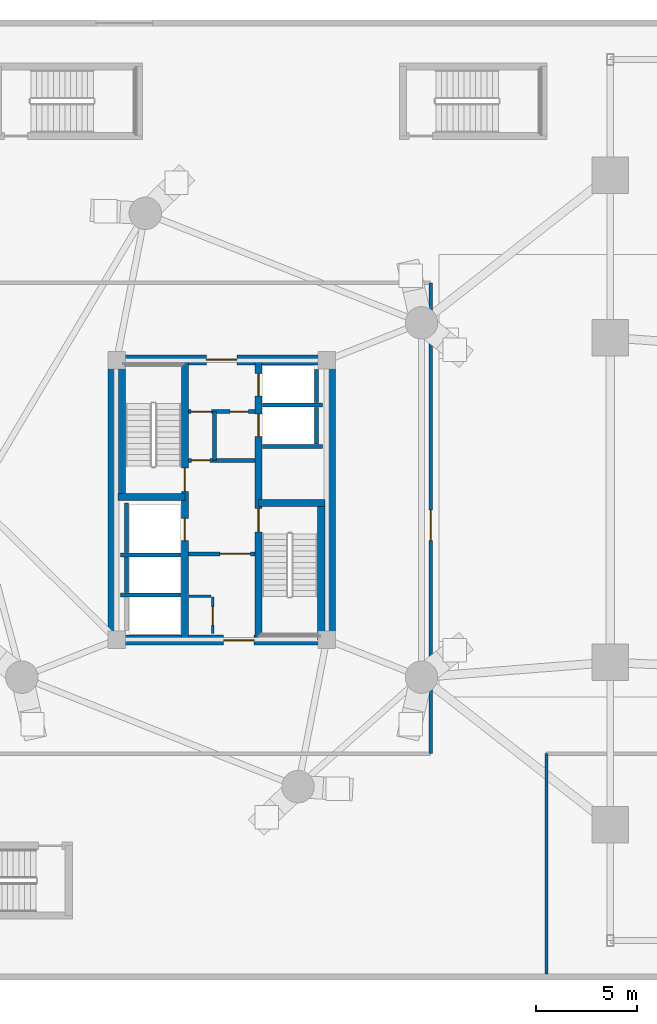
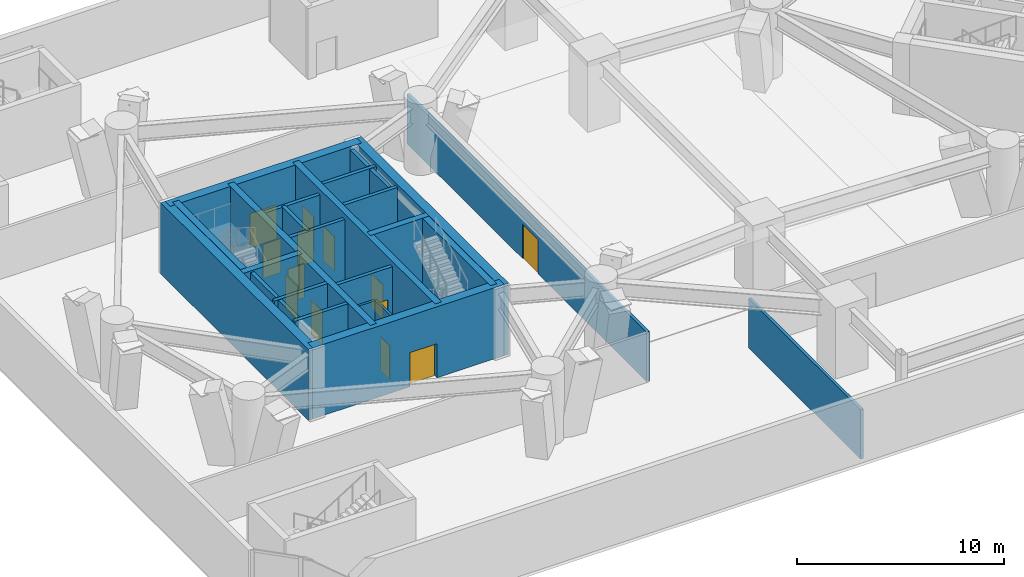
# One storey, part 11 of 20: 26 walls, 13 doors, 13 openings.
"""IFC4 building model written with IfcOpenShell, lengths in metres."""

from ifc_helpers import new_model, si_unit, direction, frame, frame_2d, origin, place, context, subcontext, project, spatial, rectangle, extrude, source, transform, mapped, material, layer, layer_set, type_object, element, fill, save


model = new_model("IFC4")

# Units and contexts
model_context = context("Model", 3, precision=1e-05, world=origin(), true_north=direction((0.0, 1.0)))
body_context = subcontext(model_context, "Body", "Model", "MODEL_VIEW")
ifc_project = project(units=[si_unit("LENGTHUNIT", "METRE"), si_unit("AREAUNIT", "SQUARE_METRE"), si_unit("VOLUMEUNIT", "CUBIC_METRE"), si_unit("PLANEANGLEUNIT", "RADIAN"), si_unit("MASSUNIT", "GRAM", prefix="KILO")], contexts=[model_context])

# Site, building, storey
site_placement = place(None, origin())
site = spatial("IfcSite", under=ifc_project, at=site_placement, CompositionType="ELEMENT")
building_placement = place(site_placement, origin())
building = spatial("IfcBuilding", under=site, at=building_placement, Name="Cununo Teusaquillo Station Towers", CompositionType="ELEMENT")
storey_placement = place(building_placement, frame((0.0, 0.0, 4.800048828125)))
storey = spatial("IfcBuildingStorey", under=building, at=storey_placement, Name="L01", CompositionType="ELEMENT", Elevation=4.800048828125)

# Walls
ifc_material_1 = material(Name="Concrete C50/60", Category="concrete")
ifc_layer_1 = layer(ifc_material_1, 0.199951171875)
ifc_layer_set_1 = layer_set([ifc_layer_1], Name="Concrete C50/60")
wall_type_1 = type_object("IfcWallType", Name="WL-CORE-200", PredefinedType="SHEAR", material=ifc_layer_set_1)
wall_1_placement = place(storey_placement, frame((11.52001953125, 21.800048828125, 0.0), z_axis=(0.0, 0.0, 1.0), x_axis=(1.0, 0.0, 0.0)))
element("IfcWall", 1, at=wall_1_placement, inside=storey, type_object=wall_type_1, Name="L01 Tower A Firefighting Lift Shaft South Shear Wall", PredefinedType="SHEAR", context=body_context, shape_type="SweptSolid", body=[
    extrude(rectangle(XDim=2.969970703125, YDim=0.199951171875, at=frame_2d((1.48486328125, 0.0))), origin(), (0.0, 0.0, 1.0), 4.199951171875),
])
wall_2_placement = place(storey_placement, frame((11.820068359375, 21.919921875, 0.0), z_axis=(0.0, 0.0, 1.0), x_axis=(0.0, 1.0, 0.0)))
element("IfcWall", 2, at=wall_2_placement, inside=storey, type_object=wall_type_1, Name="L01 Tower A Firefighting Lift Shaft Rear Shear Wall", PredefinedType="SHEAR", context=body_context, shape_type="SweptSolid", body=[
    extrude(rectangle(XDim=2.440185546875, YDim=0.199951171875, at=frame_2d((1.22021484375, 0.0))), origin(), (0.0, 0.0, 1.0), 4.199951171875),
])
wall_3_placement = place(storey_placement, frame((11.52001953125, 19.824951171875, 0.0), z_axis=(0.0, 0.0, 1.0), x_axis=(1.0, 0.0, 0.0)))
element("IfcWall", 3, at=wall_3_placement, inside=storey, type_object=wall_type_1, Name="L01 Tower A High-Rise Lift Hoistway Divider Shear Wall", PredefinedType="SHEAR", context=body_context, shape_type="SweptSolid", body=[
    extrude(rectangle(XDim=2.969970703125, YDim=0.199951171875, at=frame_2d((1.48486328125, 0.0))), origin(), (0.0, 0.0, 1.0), 4.199951171875),
])
wall_4_placement = place(storey_placement, frame((11.820068359375, 19.945068359375, 0.0), z_axis=(0.0, 0.0, 1.0), x_axis=(0.0, 1.0, 0.0)))
element("IfcWall", 4, at=wall_4_placement, inside=storey, type_object=wall_type_1, Name="L01 Tower A High-Rise Lift 2 Shaft Rear Shear Wall", PredefinedType="SHEAR", context=body_context, shape_type="SweptSolid", body=[
    extrude(rectangle(XDim=1.73486328125, YDim=0.199951171875, at=frame_2d((0.867431640625, 0.0))), origin(), (0.0, 0.0, 1.0), 4.199951171875),
])
for number, where, z_axis, x_axis, name in (
    (5, (18.510009765625, 27.1298828125, 0.0), (0.0, 0.0, 1.0), (1.0, 0.0, 0.0), "L01 Tower A Low-Rise Lift Hoistway South Shear Wall"),
    (6, (18.510009765625, 29.175048828125, 0.0), (0.0, 0.0, 1.0), (1.0, 0.0, 0.0), "L01 Tower A Low-Rise Lift Hoistway Divider Shear Wall"),
):
    element("IfcWall", number, at=place(storey_placement, frame(where, z_axis=z_axis, x_axis=x_axis)), inside=storey, type_object=wall_type_1, Name=name, PredefinedType="SHEAR", context=body_context, shape_type="SweptSolid", body=[
        extrude(rectangle(XDim=2.969970703125, YDim=0.199951171875, at=frame_2d((1.48486328125, 0.0))), origin(), (0.0, 0.0, 1.0), 4.199951171875),
    ])
wall_5_placement = place(storey_placement, frame((21.179931640625, 27.25, 0.0), z_axis=(0.0, 0.0, 1.0), x_axis=(0.0, 1.0, 0.0)))
element("IfcWall", 7, at=wall_5_placement, inside=storey, type_object=wall_type_1, Name="L01 Tower A Low-Rise Lift 1 Shaft Rear Shear Wall", PredefinedType="SHEAR", context=body_context, shape_type="SweptSolid", body=[
    extrude(rectangle(XDim=1.804931640625, YDim=0.199951171875, at=frame_2d((0.90234375, 0.0))), origin(), (0.0, 0.0, 1.0), 4.199951171875),
])
wall_6_placement = place(storey_placement, frame((21.179931640625, 29.294921875, 0.0), z_axis=(0.0, 0.0, 1.0), x_axis=(0.0, 1.0, 0.0)))
element("IfcWall", 8, at=wall_6_placement, inside=storey, type_object=wall_type_1, Name="L01 Tower A Low-Rise Lift 2 Shaft Rear Shear Wall", PredefinedType="SHEAR", context=body_context, shape_type="SweptSolid", body=[
    extrude(rectangle(XDim=1.635009765625, YDim=0.199951171875, at=frame_2d((0.8173828125, 0.0))), origin(), (0.0, 0.0, 1.0), 4.199951171875),
])

# Wall, openings, doors
ifc_material_2 = material(Name="Concrete C50/60", Category="concrete")
ifc_layer_2 = layer(ifc_material_2, 0.35009765625)
ifc_layer_set_2 = layer_set([ifc_layer_2], Name="Concrete C50/60")
wall_type_2 = type_object("IfcWallType", Name="WL-CORE-350", PredefinedType="SHEAR", material=ifc_layer_set_2)
wall_7_placement = place(storey_placement, frame((14.68505859375, 17.60009765625, 0.0), z_axis=(0.0, 0.0, 1.0), x_axis=(0.0, 1.0, 0.0)))
wall_7 = element("IfcWall", 9, at=wall_7_placement, inside=storey, type_object=wall_type_2, Name="L01 Tower A Core Shear Wall IW", PredefinedType="SHEAR", context=body_context, shape_type="SweptSolid", body=[
    extrude(rectangle(XDim=13.7998046875, YDim=0.35009765625, at=frame_2d((6.89990234375, 0.0))), origin(), (0.0, 0.0, 1.0), 4.199951171875),
])
shared_shape_1 = source(origin(), body_context, "Body", "SweptSolid", [
    extrude(rectangle(XDim=1.10009765625, YDim=2.014892578125, at=frame_2d((0.550048828125, 1.00732421875))), frame((0.0, 0.18505859375, 0.0), z_axis=(0.0, -1.0, 0.0), x_axis=(1.0, 0.0, 0.0)), (0.0, 0.0, 1.0), 0.3701171875),
])
opening_1_placement = place(wall_7_placement, frame((4.89990234375, 0.0, 0.0)))
opening_1 = element("IfcOpeningElement", 10, at=opening_1_placement, cuts=wall_7, Name="Opening LD-01", PredefinedType="OPENING", context=body_context, shape_type="MappedRepresentation", body=[
    mapped(shared_shape_1, transform((0.0, 0.0, 0.0), x_axis=(1.0, 0.0, 0.0), y_axis=(0.0, 1.0, 0.0), z_axis=(0.0, 0.0, 1.0), scale=1.0)),
])
shared_shape_2 = source(origin(), body_context, "Body", "SweptSolid", [
    extrude(rectangle(XDim=1.14990234375, YDim=2.02001953125, at=frame_2d((0.574951171875, 1.010009765625))), frame((0.0, 0.18505859375, 0.0), z_axis=(0.0, -1.0, 0.0), x_axis=(1.0, 0.0, 0.0)), (0.0, 0.0, 1.0), 0.3701171875),
])
opening_2_placement = place(wall_7_placement, frame((7.320068359375, 0.0, 0.0)))
opening_2 = element("IfcOpeningElement", 11, at=opening_2_placement, cuts=wall_7, Name="Opening D-ST1", PredefinedType="OPENING", context=body_context, shape_type="MappedRepresentation", body=[
    mapped(shared_shape_2, transform((0.0, 0.0, 0.0), x_axis=(1.0, 0.0, 0.0), y_axis=(0.0, 1.0, 0.0), z_axis=(0.0, 0.0, 1.0), scale=1.0)),
])
ifc_material_3 = material(Name="Galvanised fire-rated hollow steel door assembly", Category="steel")
door_type_1 = type_object("IfcDoorType", Name="DR-LIFT-1100", OperationType="SLIDING_TO_LEFT", PredefinedType="DOOR", material=ifc_material_3)
shared_shape_3 = source(origin(), body_context, "Body", "SweptSolid", [
    extrude(rectangle(XDim=1.10009765625, YDim=2.014892578125, at=frame_2d((0.550048828125, 1.00732421875))), frame((0.0, 0.02490234375, 0.0), z_axis=(0.0, -1.0, 0.0), x_axis=(1.0, 0.0, 0.0)), (0.0, 0.0, 1.0), 0.050048828125),
])
door_1_placement = place(opening_1_placement, origin())
door_1 = element("IfcDoor", 12, at=door_1_placement, inside=storey, type_object=door_type_1, Name="L01 Lift FL-T1 Sliding Landing Door", OperationType="SLIDING_TO_RIGHT", OverallHeight=2.014892578125, OverallWidth=1.10009765625, PredefinedType="DOOR", context=body_context, shape_type="MappedRepresentation", body=[
    mapped(shared_shape_3, transform((0.0, 0.0, 0.0), x_axis=(1.0, 0.0, 0.0), y_axis=(0.0, 1.0, 0.0), z_axis=(0.0, 0.0, 1.0), scale=1.0)),
])
fill(opening_1, door_1)
ifc_material_4 = material(Name="Galvanised fire-rated hollow steel door assembly", Category="steel")
door_type_2 = type_object("IfcDoorType", Name="DR-STAIR-1150", OperationType="NOTDEFINED", PredefinedType="DOOR", material=ifc_material_4)
shared_shape_4 = source(origin(), body_context, "Body", "SweptSolid", [
    extrude(rectangle(XDim=1.14990234375, YDim=2.02001953125, at=frame_2d((0.574951171875, 1.010009765625))), frame((0.0, 0.02490234375, 0.0), z_axis=(0.0, -1.0, 0.0), x_axis=(1.0, 0.0, 0.0)), (0.0, 0.0, 1.0), 0.050048828125),
])
door_2_placement = place(opening_2_placement, origin())
door_2 = element("IfcDoor", 13, at=door_2_placement, inside=storey, type_object=door_type_2, Name="L01 Tower A Exit Stair 1 Fire Door", OperationType="SINGLE_SWING_LEFT", OverallHeight=2.02001953125, OverallWidth=1.14990234375, PredefinedType="DOOR", context=body_context, shape_type="MappedRepresentation", body=[
    mapped(shared_shape_4, transform((0.0, 0.0, 0.0), x_axis=(1.0, 0.0, 0.0), y_axis=(0.0, 1.0, 0.0), z_axis=(0.0, 0.0, 1.0), scale=1.0)),
])
fill(opening_2, door_2)

wall_8_placement = place(storey_placement, frame((18.31494140625, 17.60009765625, 0.0), z_axis=(0.0, 0.0, 1.0), x_axis=(0.0, 1.0, 0.0)))
wall_8 = element("IfcWall", 14, at=wall_8_placement, inside=storey, type_object=wall_type_2, Name="L01 Tower A Core Shear Wall IE", PredefinedType="SHEAR", context=body_context, shape_type="SweptSolid", body=[
    extrude(rectangle(XDim=13.7998046875, YDim=0.35009765625, at=frame_2d((6.89990234375, 0.0))), origin(), (0.0, 0.0, 1.0), 4.199951171875),
])
opening_3_placement = place(wall_8_placement, frame((10.02490234375, 0.0, 0.0)))
opening_3 = element("IfcOpeningElement", 15, at=opening_3_placement, cuts=wall_8, Name="Opening LD-01", PredefinedType="OPENING", context=body_context, shape_type="MappedRepresentation", body=[
    mapped(shared_shape_1, transform((0.0, 0.0, 0.0), x_axis=(1.0, 0.0, 0.0), y_axis=(0.0, 1.0, 0.0), z_axis=(0.0, 0.0, 1.0), scale=1.0)),
])
opening_4_placement = place(wall_8_placement, frame((12.02490234375, 0.0, 0.0)))
opening_4 = element("IfcOpeningElement", 16, at=opening_4_placement, cuts=wall_8, Name="Opening LD-01", PredefinedType="OPENING", context=body_context, shape_type="MappedRepresentation", body=[
    mapped(shared_shape_1, transform((0.0, 0.0, 0.0), x_axis=(1.0, 0.0, 0.0), y_axis=(0.0, 1.0, 0.0), z_axis=(0.0, 0.0, 1.0), scale=1.0)),
])
opening_5_placement = place(wall_8_placement, frame((5.330078125, 0.0, 0.0)))
opening_5 = element("IfcOpeningElement", 17, at=opening_5_placement, cuts=wall_8, Name="Opening D-ST1", PredefinedType="OPENING", context=body_context, shape_type="MappedRepresentation", body=[
    mapped(shared_shape_2, transform((0.0, 0.0, 0.0), x_axis=(1.0, 0.0, 0.0), y_axis=(0.0, 1.0, 0.0), z_axis=(0.0, 0.0, 1.0), scale=1.0)),
])
door_3_placement = place(opening_3_placement, origin())
door_3 = element("IfcDoor", 18, at=door_3_placement, inside=storey, type_object=door_type_1, Name="L01 Lift PL-T1-L1 Sliding Landing Door", OperationType="SLIDING_TO_LEFT", OverallHeight=2.014892578125, OverallWidth=1.10009765625, PredefinedType="DOOR", context=body_context, shape_type="MappedRepresentation", body=[
    mapped(shared_shape_3, transform((0.0, 0.0, 0.0), x_axis=(1.0, 0.0, 0.0), y_axis=(0.0, 1.0, 0.0), z_axis=(0.0, 0.0, 1.0), scale=1.0)),
])
fill(opening_3, door_3)
door_4_placement = place(opening_4_placement, origin())
door_4 = element("IfcDoor", 19, at=door_4_placement, inside=storey, type_object=door_type_1, Name="L01 Lift PL-T1-L2 Sliding Landing Door", OperationType="SLIDING_TO_RIGHT", OverallHeight=2.014892578125, OverallWidth=1.10009765625, PredefinedType="DOOR", context=body_context, shape_type="MappedRepresentation", body=[
    mapped(shared_shape_3, transform((0.0, 0.0, 0.0), x_axis=(1.0, 0.0, 0.0), y_axis=(0.0, 1.0, 0.0), z_axis=(0.0, 0.0, 1.0), scale=1.0)),
])
fill(opening_4, door_4)
door_5_placement = place(opening_5_placement, origin())
door_5 = element("IfcDoor", 20, at=door_5_placement, inside=storey, type_object=door_type_2, Name="L01 Tower A Exit Stair 2 Fire Door", OperationType="SINGLE_SWING_RIGHT", OverallHeight=2.02001953125, OverallWidth=1.14990234375, PredefinedType="DOOR", context=body_context, shape_type="MappedRepresentation", body=[
    mapped(shared_shape_4, transform((0.0, 0.0, 0.0), x_axis=(1.0, 0.0, 0.0), y_axis=(0.0, 1.0, 0.0), z_axis=(0.0, 0.0, 1.0), scale=1.0)),
])
fill(opening_5, door_5)

# Walls
wall_9_placement = place(storey_placement, frame((11.594970703125, 24.655029296875, 0.0), z_axis=(0.0, 0.0, 1.0), x_axis=(0.0, 1.0, 0.0)))
element("IfcWall", 21, at=wall_9_placement, inside=storey, type_object=wall_type_2, Name="L01 Tower A Core Shear Wall ST1W", PredefinedType="SHEAR", context=body_context, shape_type="SweptSolid", body=[
    extrude(rectangle(XDim=6.744873046875, YDim=0.35009765625, at=frame_2d((3.37255859375, 0.0))), origin(), (0.0, 0.0, 1.0), 4.199951171875),
])
wall_10_placement = place(storey_placement, frame((11.39990234375, 24.655029296875, 0.0), z_axis=(0.0, 0.0, 1.0), x_axis=(1.0, 0.0, 0.0)))
element("IfcWall", 22, at=wall_10_placement, inside=storey, type_object=wall_type_2, Name="L01 Tower A Core Shear Wall ST1S", PredefinedType="SHEAR", context=body_context, shape_type="SweptSolid", body=[
    extrude(rectangle(XDim=3.28515625, YDim=0.35009765625, at=frame_2d((1.642578125, 0.0))), origin(), (0.0, 0.0, 1.0), 4.199951171875),
])
wall_11_placement = place(storey_placement, frame((21.405029296875, 17.60009765625, 0.0), z_axis=(0.0, 0.0, 1.0), x_axis=(0.0, 1.0, 0.0)))
element("IfcWall", 23, at=wall_11_placement, inside=storey, type_object=wall_type_2, Name="L01 Tower A Core Shear Wall ST2E", PredefinedType="SHEAR", context=body_context, shape_type="SweptSolid", body=[
    extrude(rectangle(XDim=6.744873046875, YDim=0.35009765625, at=frame_2d((3.37255859375, 0.0))), origin(), (0.0, 0.0, 1.0), 4.199951171875),
])
wall_12_placement = place(storey_placement, frame((18.31494140625, 24.344970703125, 0.0), z_axis=(0.0, 0.0, 1.0), x_axis=(1.0, 0.0, 0.0)))
element("IfcWall", 24, at=wall_12_placement, inside=storey, type_object=wall_type_2, Name="L01 Tower A Core Shear Wall ST2N", PredefinedType="SHEAR", context=body_context, shape_type="SweptSolid", body=[
    extrude(rectangle(XDim=3.28515625, YDim=0.35009765625, at=frame_2d((1.642578125, 0.0))), origin(), (0.0, 0.0, 1.0), 4.199951171875),
])
ifc_material_5 = material(Name="Concrete C60/75", Category="concrete")
ifc_layer_3 = layer(ifc_material_5, 0.5)
ifc_layer_set_3 = layer_set([ifc_layer_3], Name="Concrete C60/75")
wall_type_3 = type_object("IfcWallType", Name="WL-CORE-500", PredefinedType="SHEAR", material=ifc_layer_set_3)
for number, where, z_axis, x_axis, name in (
    (25, (11.14990234375, 17.35009765625, 0.0), (0.0, 0.0, 1.0), (0.0, 1.0, 0.0), "L01 Tower A Core Shear Wall W"),
    (26, (21.85009765625, 17.35009765625, 0.0), (0.0, 0.0, 1.0), (0.0, 1.0, 0.0), "L01 Tower A Core Shear Wall E"),
):
    element("IfcWall", number, at=place(storey_placement, frame(where, z_axis=z_axis, x_axis=x_axis)), inside=storey, type_object=wall_type_3, Name=name, PredefinedType="SHEAR", context=body_context, shape_type="SweptSolid", body=[
        extrude(rectangle(XDim=14.2998046875, YDim=0.5, at=frame_2d((7.14990234375, 0.0))), origin(), (0.0, 0.0, 1.0), 4.199951171875),
    ])

# Wall, opening, door
wall_13_placement = place(storey_placement, frame((11.14990234375, 17.60009765625, 0.0), z_axis=(0.0, 0.0, 1.0), x_axis=(1.0, 0.0, 0.0)))
wall_13 = element("IfcWall", 27, at=wall_13_placement, inside=storey, type_object=wall_type_3, Name="L01 Tower A Core Shear Wall S", PredefinedType="SHEAR", context=body_context, shape_type="SweptSolid", body=[
    extrude(rectangle(XDim=10.7001953125, YDim=0.5, at=frame_2d((5.35009765625, 0.0))), origin(), (0.0, 0.0, 1.0), 4.199951171875),
])
shared_shape_5 = source(origin(), body_context, "Body", "SweptSolid", [
    extrude(rectangle(XDim=1.5, YDim=2.02001953125, at=frame_2d((0.75, 1.010009765625))), frame((0.0, 0.260009765625, 0.0), z_axis=(0.0, -1.0, 0.0), x_axis=(1.0, 0.0, 0.0)), (0.0, 0.0, 1.0), 0.52001953125),
])
opening_6_placement = place(wall_13_placement, frame((5.449951171875, 0.0, 0.0)))
opening_6 = element("IfcOpeningElement", 28, at=opening_6_placement, cuts=wall_13, Name="Opening D-LB1", PredefinedType="OPENING", context=body_context, shape_type="MappedRepresentation", body=[
    mapped(shared_shape_5, transform((0.0, 0.0, 0.0), x_axis=(1.0, 0.0, 0.0), y_axis=(0.0, 1.0, 0.0), z_axis=(0.0, 0.0, 1.0), scale=1.0)),
])
ifc_material_6 = material(Name="Galvanised fire-rated hollow steel door assembly", Category="steel")
door_type_3 = type_object("IfcDoorType", Name="DR-LOBBY-1500", OperationType="DOUBLE_DOOR_SINGLE_SWING", PredefinedType="DOOR", material=ifc_material_6)
shared_shape_6 = source(origin(), body_context, "Body", "SweptSolid", [
    extrude(rectangle(XDim=1.5, YDim=2.02001953125, at=frame_2d((0.75, 1.010009765625))), frame((0.0, 0.02490234375, 0.0), z_axis=(0.0, -1.0, 0.0), x_axis=(1.0, 0.0, 0.0)), (0.0, 0.0, 1.0), 0.050048828125),
])
door_6_placement = place(opening_6_placement, origin())
door_6 = element("IfcDoor", 29, at=door_6_placement, inside=storey, type_object=door_type_3, Name="L01 Tower A South Core Lift Lobby Door", OperationType="DOUBLE_DOOR_SINGLE_SWING", OverallHeight=2.02001953125, OverallWidth=1.5, PredefinedType="DOOR", context=body_context, shape_type="MappedRepresentation", body=[
    mapped(shared_shape_6, transform((0.0, 0.0, 0.0), x_axis=(1.0, 0.0, 0.0), y_axis=(0.0, 1.0, 0.0), z_axis=(0.0, 0.0, 1.0), scale=1.0)),
])
fill(opening_6, door_6)

wall_14_placement = place(storey_placement, frame((11.14990234375, 31.39990234375, 0.0), z_axis=(0.0, 0.0, 1.0), x_axis=(1.0, 0.0, 0.0)))
wall_14 = element("IfcWall", 30, at=wall_14_placement, inside=storey, type_object=wall_type_3, Name="L01 Tower A Core Shear Wall N", PredefinedType="SHEAR", context=body_context, shape_type="SweptSolid", body=[
    extrude(rectangle(XDim=10.7001953125, YDim=0.5, at=frame_2d((5.35009765625, 0.0))), origin(), (0.0, 0.0, 1.0), 4.199951171875),
])
opening_7_placement = place(wall_14_placement, frame((4.60009765625, 0.0, 0.0)))
opening_7 = element("IfcOpeningElement", 31, at=opening_7_placement, cuts=wall_14, Name="Opening D-LB1", PredefinedType="OPENING", context=body_context, shape_type="MappedRepresentation", body=[
    mapped(shared_shape_5, transform((0.0, 0.0, 0.0), x_axis=(1.0, 0.0, 0.0), y_axis=(0.0, 1.0, 0.0), z_axis=(0.0, 0.0, 1.0), scale=1.0)),
])
door_7_placement = place(opening_7_placement, origin())
door_7 = element("IfcDoor", 32, at=door_7_placement, inside=storey, type_object=door_type_3, Name="L01 Tower A North Core Lift Lobby Door", OperationType="DOUBLE_DOOR_SINGLE_SWING", OverallHeight=2.02001953125, OverallWidth=1.5, PredefinedType="DOOR", context=body_context, shape_type="MappedRepresentation", body=[
    mapped(shared_shape_6, transform((0.0, 0.0, 0.0), x_axis=(1.0, 0.0, 0.0), y_axis=(0.0, 1.0, 0.0), z_axis=(0.0, 0.0, 1.0), scale=1.0)),
])
fill(opening_7, door_7)

ifc_material_7 = material(Name="Fire-rated gypsum plasterboard partition assembly", Category="gypsum")
ifc_layer_4 = layer(ifc_material_7, 0.125)
ifc_layer_set_4 = layer_set([ifc_layer_4], Name="Fire-rated gypsum plasterboard partition assembly")
wall_type_4 = type_object("IfcWallType", Name="WL-PART-125", PredefinedType="PARTITIONING", material=ifc_layer_set_4)
wall_15_placement = place(storey_placement, frame((16.050048828125, 17.919921875, 0.0), z_axis=(0.0, 0.0, 1.0), x_axis=(0.0, 1.0, 0.0)))
wall_15 = element("IfcWall", 33, at=wall_15_placement, inside=storey, type_object=wall_type_4, Name="L01 Tower A South-West Compact Store East Wall", PredefinedType="PARTITIONING", context=body_context, shape_type="SweptSolid", body=[
    extrude(rectangle(XDim=1.800048828125, YDim=0.125, at=frame_2d((0.89990234375, 0.0))), origin(), (0.0, 0.0, 1.0), 3.885009765625),
])
shared_shape_7 = source(origin(), body_context, "Body", "SweptSolid", [
    extrude(rectangle(XDim=0.89990234375, YDim=2.0048828125, at=frame_2d((0.449951171875, 1.00244140625))), frame((0.0, 0.072509765625, 0.0), z_axis=(0.0, -1.0, 0.0), x_axis=(1.0, 0.0, 0.0)), (0.0, 0.0, 1.0), 0.14501953125),
])
opening_8_placement = place(wall_15_placement, frame((0.419921875, 0.0, 0.0)))
opening_8 = element("IfcOpeningElement", 34, at=opening_8_placement, cuts=wall_15, Name="Opening D-SR1", PredefinedType="OPENING", context=body_context, shape_type="MappedRepresentation", body=[
    mapped(shared_shape_7, transform((0.0, 0.0, 0.0), x_axis=(1.0, 0.0, 0.0), y_axis=(0.0, 1.0, 0.0), z_axis=(0.0, 0.0, 1.0), scale=1.0)),
])
ifc_material_8 = material(Name="Galvanised fire-rated hollow steel door assembly", Category="steel")
door_type_4 = type_object("IfcDoorType", Name="DR-STORE-900", OperationType="NOTDEFINED", PredefinedType="DOOR", material=ifc_material_8)
shared_shape_8 = source(origin(), body_context, "Body", "SweptSolid", [
    extrude(rectangle(XDim=0.89990234375, YDim=2.0048828125, at=frame_2d((0.449951171875, 1.00244140625))), frame((0.0, 0.02490234375, 0.0), z_axis=(0.0, -1.0, 0.0), x_axis=(1.0, 0.0, 0.0)), (0.0, 0.0, 1.0), 0.050048828125),
])
door_8_placement = place(opening_8_placement, origin())
door_8 = element("IfcDoor", 35, at=door_8_placement, inside=storey, type_object=door_type_4, Name="L01 Tower A Core Electrical & Comms Store Door", OperationType="SINGLE_SWING_LEFT", OverallHeight=2.0048828125, OverallWidth=0.89990234375, PredefinedType="DOOR", context=body_context, shape_type="MappedRepresentation", body=[
    mapped(shared_shape_8, transform((0.0, 0.0, 0.0), x_axis=(1.0, 0.0, 0.0), y_axis=(0.0, 1.0, 0.0), z_axis=(0.0, 0.0, 1.0), scale=1.0)),
])
fill(opening_8, door_8)

# Wall
wall_16_placement = place(storey_placement, frame((14.8798828125, 19.75, 0.0), z_axis=(0.0, 0.0, 1.0), x_axis=(1.0, 0.0, 0.0)))
element("IfcWall", 36, at=wall_16_placement, inside=storey, type_object=wall_type_4, Name="L01 Tower A South-West Compact Store North Wall", PredefinedType="PARTITIONING", context=body_context, shape_type="SweptSolid", body=[
    extrude(rectangle(XDim=1.10009765625, YDim=0.125, at=frame_2d((0.550048828125, 0.0))), origin(), (0.0, 0.0, 1.0), 3.885009765625),
])

# Wall, opening, door
ifc_material_9 = material(Name="Fire-rated gypsum plasterboard partition assembly", Category="gypsum")
ifc_layer_5 = layer(ifc_material_9, 0.159912109375)
ifc_layer_set_5 = layer_set([ifc_layer_5], Name="Fire-rated gypsum plasterboard partition assembly")
wall_type_5 = type_object("IfcWallType", Name="WL-PART-160", PredefinedType="PARTITIONING", material=ifc_layer_set_5)
wall_17_placement = place(storey_placement, frame((26.800048828125, 12.0, 0.0), z_axis=(0.0, 0.0, 1.0), x_axis=(0.0, 1.0, 0.0)))
wall_17 = element("IfcWall", 37, at=wall_17_placement, inside=storey, type_object=wall_type_5, Name="L01 Station Gallery West Concourse Wall", PredefinedType="PARTITIONING", context=body_context, shape_type="SweptSolid", body=[
    extrude(rectangle(XDim=23.199951171875, YDim=0.159912109375, at=frame_2d((11.60009765625, 0.0))), origin(), (0.0, 0.0, 1.0), 2.924072265625),
])
shared_shape_9 = source(origin(), body_context, "Body", "SweptSolid", [
    extrude(rectangle(XDim=1.5, YDim=2.02001953125, at=frame_2d((0.75, 1.010009765625))), frame((0.0, 0.08984375, 0.0), z_axis=(0.0, -1.0, 0.0), x_axis=(1.0, 0.0, 0.0)), (0.0, 0.0, 1.0), 0.179931640625),
])
opening_9_placement = place(wall_17_placement, frame((10.5, 0.0, 0.0)))
opening_9 = element("IfcOpeningElement", 38, at=opening_9_placement, cuts=wall_17, Name="Opening D-LB1", PredefinedType="OPENING", context=body_context, shape_type="MappedRepresentation", body=[
    mapped(shared_shape_9, transform((0.0, 0.0, 0.0), x_axis=(1.0, 0.0, 0.0), y_axis=(0.0, 1.0, 0.0), z_axis=(0.0, 0.0, 1.0), scale=1.0)),
])
door_9_placement = place(opening_9_placement, origin())
door_9 = element("IfcDoor", 39, at=door_9_placement, inside=storey, type_object=door_type_3, Name="L01 West Gallery Wing Door", OperationType="DOUBLE_DOOR_SINGLE_SWING", OverallHeight=2.02001953125, OverallWidth=1.5, PredefinedType="DOOR", context=body_context, shape_type="MappedRepresentation", body=[
    mapped(shared_shape_6, transform((0.0, 0.0, 0.0), x_axis=(1.0, 0.0, 0.0), y_axis=(0.0, 1.0, 0.0), z_axis=(0.0, 0.0, 1.0), scale=1.0)),
])
fill(opening_9, door_9)

# Wall
wall_18_placement = place(storey_placement, frame((32.5, 1.14990234375, 0.0), z_axis=(0.0, 0.0, 1.0), x_axis=(0.0, 1.0, 0.0)))
element("IfcWall", 40, at=wall_18_placement, inside=storey, type_object=wall_type_5, Name="L01 South Wing West Wall", PredefinedType="PARTITIONING", context=body_context, shape_type="SweptSolid", body=[
    extrude(rectangle(XDim=10.85009765625, YDim=0.159912109375, at=frame_2d((5.425048828125, 0.0))), origin(), (0.0, 0.0, 1.0), 2.924072265625),
])

# Wall, opening, door
ifc_material_10 = material(Name="Fire-rated gypsum plasterboard partition assembly", Category="gypsum")
ifc_layer_6 = layer(ifc_material_10, 0.199951171875)
ifc_layer_set_6 = layer_set([ifc_layer_6], Name="Fire-rated gypsum plasterboard partition assembly")
wall_type_6 = type_object("IfcWallType", Name="WL-PART-200", PredefinedType="PARTITIONING", material=ifc_layer_set_6)
wall_19_placement = place(storey_placement, frame((14.860107421875, 21.85009765625, 0.0), z_axis=(0.0, 0.0, 1.0), x_axis=(1.0, 0.0, 0.0)))
wall_19 = element("IfcWall", 41, at=wall_19_placement, inside=storey, type_object=wall_type_6, Name="L01 Tower A Firefighting Lift Lobby South Fire Wall", PredefinedType="PARTITIONING", context=body_context, shape_type="SweptSolid", body=[
    extrude(rectangle(XDim=3.27978515625, YDim=0.199951171875, at=frame_2d((1.639892578125, 0.0))), origin(), (0.0, 0.0, 1.0), 3.885009765625),
])
shared_shape_10 = source(origin(), body_context, "Body", "SweptSolid", [
    extrude(rectangle(XDim=1.5, YDim=2.02001953125, at=frame_2d((0.75, 1.010009765625))), frame((0.0, 0.10986328125, 0.0), z_axis=(0.0, -1.0, 0.0), x_axis=(1.0, 0.0, 0.0)), (0.0, 0.0, 1.0), 0.219970703125),
])
opening_10_placement = place(wall_19_placement, frame((1.550048828125, 0.0, 0.0)))
opening_10 = element("IfcOpeningElement", 42, at=opening_10_placement, cuts=wall_19, Name="Opening D-LB1", PredefinedType="OPENING", context=body_context, shape_type="MappedRepresentation", body=[
    mapped(shared_shape_10, transform((0.0, 0.0, 0.0), x_axis=(1.0, 0.0, 0.0), y_axis=(0.0, 1.0, 0.0), z_axis=(0.0, 0.0, 1.0), scale=1.0)),
])
door_10_placement = place(opening_10_placement, origin())
door_10 = element("IfcDoor", 43, at=door_10_placement, inside=storey, type_object=door_type_3, Name="L01 Tower A Firefighting Lift Lobby South Fire Door", OperationType="DOUBLE_DOOR_SINGLE_SWING", OverallHeight=2.02001953125, OverallWidth=1.5, PredefinedType="DOOR", context=body_context, shape_type="MappedRepresentation", body=[
    mapped(shared_shape_6, transform((0.0, 0.0, 0.0), x_axis=(1.0, 0.0, 0.0), y_axis=(0.0, 1.0, 0.0), z_axis=(0.0, 0.0, 1.0), scale=1.0)),
])
fill(opening_10, door_10)

wall_20_placement = place(storey_placement, frame((14.860107421875, 26.449951171875, 0.0), z_axis=(0.0, 0.0, 1.0), x_axis=(1.0, 0.0, 0.0)))
wall_20 = element("IfcWall", 44, at=wall_20_placement, inside=storey, type_object=wall_type_6, Name="L01 Tower A Firefighting Lift Lobby North Fire Wall", PredefinedType="PARTITIONING", context=body_context, shape_type="SweptSolid", body=[
    extrude(rectangle(XDim=3.27978515625, YDim=0.199951171875, at=frame_2d((1.639892578125, 0.0))), origin(), (0.0, 0.0, 1.0), 3.885009765625),
])
shared_shape_11 = source(origin(), body_context, "Body", "SweptSolid", [
    extrude(rectangle(XDim=0.89990234375, YDim=2.0048828125, at=frame_2d((0.449951171875, 1.00244140625))), frame((0.0, 0.10986328125, 0.0), z_axis=(0.0, -1.0, 0.0), x_axis=(1.0, 0.0, 0.0)), (0.0, 0.0, 1.0), 0.219970703125),
])
opening_11_placement = place(wall_20_placement, frame((0.159912109375, 0.0, 0.0)))
opening_11 = element("IfcOpeningElement", 45, at=opening_11_placement, cuts=wall_20, Name="Opening D-SR1", PredefinedType="OPENING", context=body_context, shape_type="MappedRepresentation", body=[
    mapped(shared_shape_11, transform((0.0, 0.0, 0.0), x_axis=(1.0, 0.0, 0.0), y_axis=(0.0, 1.0, 0.0), z_axis=(0.0, 0.0, 1.0), scale=1.0)),
])
door_11_placement = place(opening_11_placement, origin())
door_11 = element("IfcDoor", 46, at=door_11_placement, inside=storey, type_object=door_type_4, Name="L01 Tower A Stair 1 Protected Vestibule South Door", OperationType="SINGLE_SWING_LEFT", OverallHeight=2.0048828125, OverallWidth=0.89990234375, PredefinedType="DOOR", context=body_context, shape_type="MappedRepresentation", body=[
    mapped(shared_shape_8, transform((0.0, 0.0, 0.0), x_axis=(1.0, 0.0, 0.0), y_axis=(0.0, 1.0, 0.0), z_axis=(0.0, 0.0, 1.0), scale=1.0)),
])
fill(opening_11, door_11)

# Wall
wall_21_placement = place(storey_placement, frame((16.14990234375, 26.449951171875, 0.0), z_axis=(0.0, 0.0, 1.0), x_axis=(0.0, 1.0, 0.0)))
element("IfcWall", 47, at=wall_21_placement, inside=storey, type_object=wall_type_6, Name="L01 Tower A Stair 1 Vestibule Partition Wall", PredefinedType="PARTITIONING", context=body_context, shape_type="SweptSolid", body=[
    extrude(rectangle(XDim=2.400146484375, YDim=0.199951171875, at=frame_2d((1.2001953125, 0.0))), origin(), (0.0, 0.0, 1.0), 3.885009765625),
])

# Wall, openings, doors
wall_22_placement = place(storey_placement, frame((14.860107421875, 28.85009765625, 0.0), z_axis=(0.0, 0.0, 1.0), x_axis=(1.0, 0.0, 0.0)))
wall_22 = element("IfcWall", 48, at=wall_22_placement, inside=storey, type_object=wall_type_6, Name="L01 Tower A North Lift Lobby South Fire Wall", PredefinedType="PARTITIONING", context=body_context, shape_type="SweptSolid", body=[
    extrude(rectangle(XDim=3.27978515625, YDim=0.199951171875, at=frame_2d((1.639892578125, 0.0))), origin(), (0.0, 0.0, 1.0), 3.885009765625),
])
shared_shape_12 = source(origin(), body_context, "Body", "SweptSolid", [
    extrude(rectangle(XDim=1.0, YDim=2.014892578125, at=frame_2d((0.5, 1.00732421875))), frame((0.0, 0.10986328125, 0.0), z_axis=(0.0, -1.0, 0.0), x_axis=(1.0, 0.0, 0.0)), (0.0, 0.0, 1.0), 0.219970703125),
])
opening_12_placement = place(wall_22_placement, frame((0.139892578125, 0.0, 0.0)))
opening_12 = element("IfcOpeningElement", 49, at=opening_12_placement, cuts=wall_22, Name="Opening D-AC1", PredefinedType="OPENING", context=body_context, shape_type="MappedRepresentation", body=[
    mapped(shared_shape_12, transform((0.0, 0.0, 0.0), x_axis=(1.0, 0.0, 0.0), y_axis=(0.0, 1.0, 0.0), z_axis=(0.0, 0.0, 1.0), scale=1.0)),
])
opening_13_placement = place(wall_22_placement, frame((2.050048828125, 0.0, 0.0)))
opening_13 = element("IfcOpeningElement", 50, at=opening_13_placement, cuts=wall_22, Name="Opening D-SR1", PredefinedType="OPENING", context=body_context, shape_type="MappedRepresentation", body=[
    mapped(shared_shape_11, transform((0.0, 0.0, 0.0), x_axis=(1.0, 0.0, 0.0), y_axis=(0.0, 1.0, 0.0), z_axis=(0.0, 0.0, 1.0), scale=1.0)),
])
door_12_placement = place(opening_13_placement, origin())
door_12 = element("IfcDoor", 51, at=door_12_placement, inside=storey, type_object=door_type_4, Name="L01 Tower A Core Housekeeping & Linen Store Door", OperationType="SINGLE_SWING_RIGHT", OverallHeight=2.0048828125, OverallWidth=0.89990234375, PredefinedType="DOOR", context=body_context, shape_type="MappedRepresentation", body=[
    mapped(shared_shape_8, transform((0.0, 0.0, 0.0), x_axis=(1.0, 0.0, 0.0), y_axis=(0.0, 1.0, 0.0), z_axis=(0.0, 0.0, 1.0), scale=1.0)),
])
fill(opening_13, door_12)
ifc_material_11 = material(Name="Acoustic solid-core hardwood leaf assembly", Category="wood")
door_type_5 = type_object("IfcDoorType", Name="DR-ACC-1000", OperationType="NOTDEFINED", PredefinedType="DOOR", material=ifc_material_11)
shared_shape_13 = source(origin(), body_context, "Body", "SweptSolid", [
    extrude(rectangle(XDim=1.0, YDim=2.014892578125, at=frame_2d((0.5, 1.00732421875))), frame((0.0, 0.02490234375, 0.0), z_axis=(0.0, -1.0, 0.0), x_axis=(1.0, 0.0, 0.0)), (0.0, 0.0, 1.0), 0.050048828125),
])
door_13_placement = place(opening_12_placement, origin())
door_13 = element("IfcDoor", 52, at=door_13_placement, inside=storey, type_object=door_type_5, Name="L01 Tower A North Lift Lobby to Stair 1 Vestibule Door", OperationType="SINGLE_SWING_RIGHT", OverallHeight=2.014892578125, OverallWidth=1.0, PredefinedType="DOOR", context=body_context, shape_type="MappedRepresentation", body=[
    mapped(shared_shape_13, transform((0.0, 0.0, 0.0), x_axis=(1.0, 0.0, 0.0), y_axis=(0.0, 1.0, 0.0), z_axis=(0.0, 0.0, 1.0), scale=1.0)),
])
fill(opening_12, door_13)

save(model, "model.ifc")
